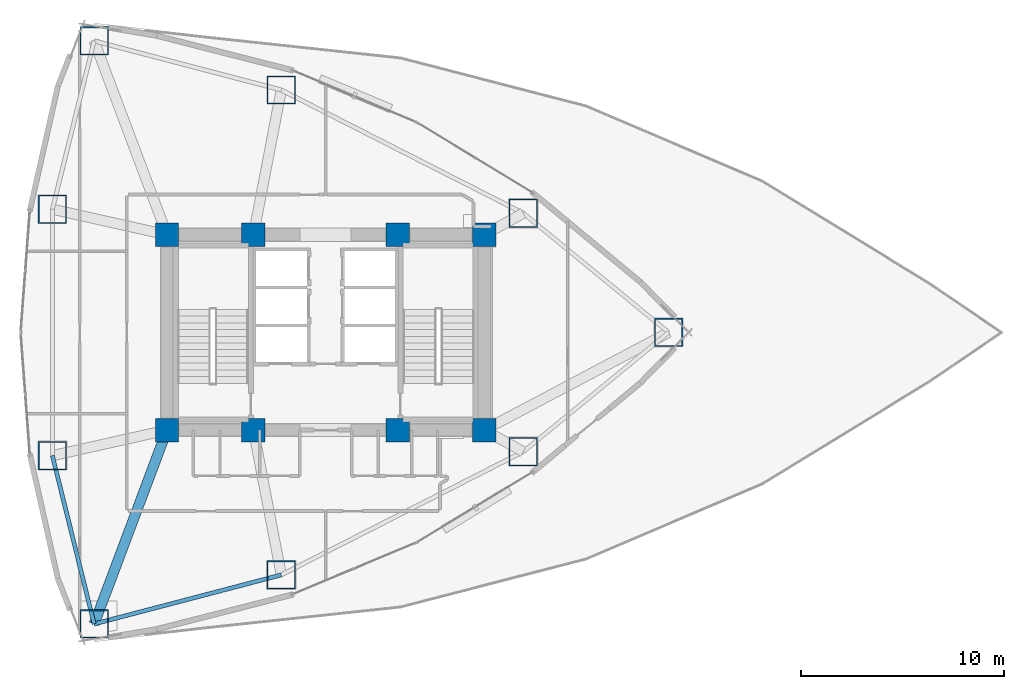
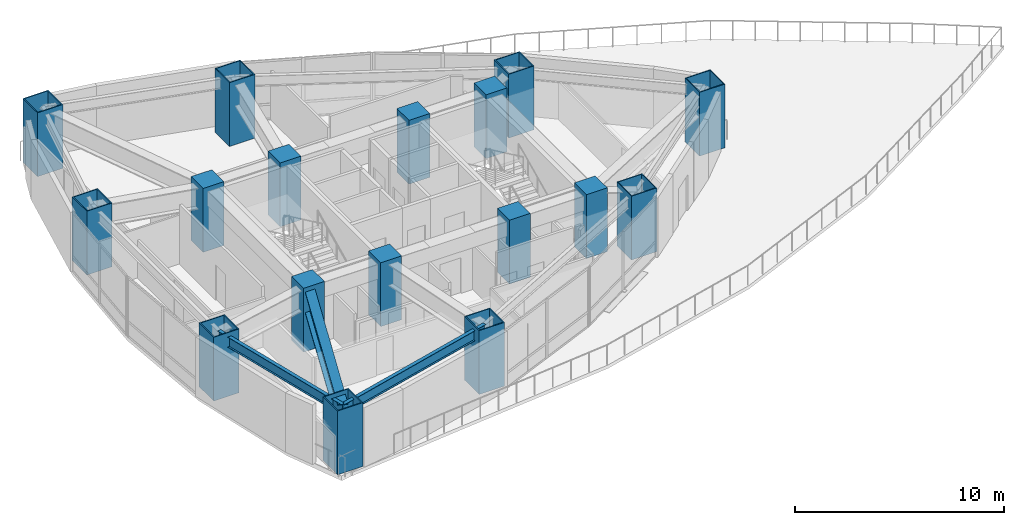
# One storey, part 1 of 19: 17 columns, 3 beams.
"""IFC4 building model written with IfcOpenShell, lengths in metres."""

import ifcopenshell
import ifcopenshell.guid

model = None  # the IFC model being written
_history = None  # IfcOwnerHistory: only IFC2X3 demands one
_inside = {}  # id of a spatial element -> (the spatial element, [elements in it])
_under = {}  # id of a project, library or spatial element -> (it, [spatial elements below it])
_declared = {}  # id of a project -> (the project, [libraries it declares])
_typed = {}  # id of a type object -> (the type object, [elements of that type])
_made_of = {}  # id of a material, layer set ... -> (it, [elements and type objects made of it])


def new_model(schema):
    """Start an empty IFC model of exactly this schema.

    Asked for "IFC4X3", IfcOpenShell would pick the latest addendum, in which some entities
    have other attributes; the version numbers below select the first issue.
    IFC2X3 requires an IfcOwnerHistory on every rooted entity: one is made here for all.
    """
    global model, _history
    if schema == "IFC4X3":
        model = ifcopenshell.file(schema_version=(4, 3, 0, 0))
    else:
        model = ifcopenshell.file(schema=schema)
    _inside.clear()
    _under.clear()
    _declared.clear()
    _typed.clear()
    _made_of.clear()
    _history = None
    if model.schema == "IFC2X3":
        org = make("IfcOrganization", Name="unknown")
        user = make(
            "IfcPersonAndOrganization",
            ThePerson=make("IfcPerson", FamilyName="unknown"),
            TheOrganization=org,
        )
        app = make(
            "IfcApplication",
            ApplicationDeveloper=org,
            Version="unknown",
            ApplicationFullName="unknown",
            ApplicationIdentifier="unknown",
        )
        _history = make(
            "IfcOwnerHistory",
            OwningUser=user,
            OwningApplication=app,
            ChangeAction="ADDED",
            CreationDate=0,
        )
    return model


def make(cls, **values):
    """One entity of the class cls with the attributes given. An attribute that is None is left unset."""
    return model.create_entity(
        cls, **{name: value for name, value in values.items() if value is not None}
    )


def rooted(cls, **values):
    """An entity with a GlobalId (a new one), such as an element, a storey or a relation."""
    return make(cls, GlobalId=ifcopenshell.guid.new(), OwnerHistory=_history, **values)


def si_unit(unit_type, name, prefix=None):
    """IfcSIUnit, for example si_unit("LENGTHUNIT", "METRE", prefix="MILLI")."""
    return make("IfcSIUnit", UnitType=unit_type, Prefix=prefix, Name=name)


def assignment(units):
    """IfcUnitAssignment: the units of a project."""
    return None if units is None else make("IfcUnitAssignment", Units=units)


def point(xyz):
    """IfcCartesianPoint."""
    return None if xyz is None else make("IfcCartesianPoint", Coordinates=xyz)


def direction(xyz):
    """IfcDirection."""
    return None if xyz is None else make("IfcDirection", DirectionRatios=xyz)


def frame(location, z_axis=None, x_axis=None):
    """IfcAxis2Placement3D, a coordinate frame: its origin and axes. An axis left out is left unset."""
    return make(
        "IfcAxis2Placement3D",
        Location=point(location),
        Axis=direction(z_axis),
        RefDirection=direction(x_axis),
    )


def frame_2d(location, x_axis=None):
    """IfcAxis2Placement2D, a coordinate frame in the plane: its origin and x axis."""
    return make(
        "IfcAxis2Placement2D", Location=point(location), RefDirection=direction(x_axis)
    )


def origin():
    """The frame at (0, 0, 0) with its axes left unset."""
    return frame((0.0, 0.0, 0.0))


def origin_2d():
    """The frame at (0, 0) in the plane with its x axis left unset."""
    return frame_2d((0.0, 0.0))


def place(relative_to, where):
    """IfcLocalPlacement: puts the frame where relative to a parent placement (None: the world)."""
    return make(
        "IfcLocalPlacement", PlacementRelTo=relative_to, RelativePlacement=where
    )


def context(
    kind, dimensions, precision=None, world=None, true_north=None, identifier=None
):
    """IfcGeometricRepresentationContext, for example the 3D "Model" context."""
    return make(
        "IfcGeometricRepresentationContext",
        ContextIdentifier=identifier,
        ContextType=kind,
        CoordinateSpaceDimension=dimensions,
        Precision=precision,
        WorldCoordinateSystem=world,
        TrueNorth=true_north,
    )


def subcontext(parent, identifier, kind, view, scale=None):
    """IfcGeometricRepresentationSubContext, for example "Body" below "Model"."""
    return make(
        "IfcGeometricRepresentationSubContext",
        ContextIdentifier=identifier,
        ContextType=kind,
        ParentContext=parent,
        TargetScale=scale,
        TargetView=view,
    )


def project(units=None, contexts=None):
    """IfcProject with its units and contexts."""
    return rooted(
        "IfcProject",
        Name="project",
        RepresentationContexts=contexts,
        UnitsInContext=assignment(units),
    )


def spatial(cls, under=None, at=None, **own):
    """A site, building, storey or space (cls), placed at a placement, below another one or the project."""
    s = rooted(cls, ObjectPlacement=at, **own)
    if under is not None:
        _under.setdefault(under.id(), (under, []))[1].append(s)
    return s


def profile(cls, at=None, kind="AREA", **sizes):
    """A parametric profile (cls). Its sizes go by their IFC names, for example OverallWidth=200.0."""
    return make(cls, ProfileType=kind, Position=at, **sizes)


def rectangle(**sizes):
    """IfcRectangleProfileDef."""
    return profile("IfcRectangleProfileDef", **sizes)


def hollow_rectangle(**sizes):
    """IfcRectangleHollowProfileDef."""
    return profile("IfcRectangleHollowProfileDef", **sizes)


def i_section(**sizes):
    """IfcIShapeProfileDef."""
    return profile("IfcIShapeProfileDef", **sizes)


def extrude(swept, where, along, depth):
    """IfcExtrudedAreaSolid: the profile swept, set in the frame where, extruded along a direction by depth."""
    return make(
        "IfcExtrudedAreaSolid",
        SweptArea=swept,
        Position=where,
        ExtrudedDirection=direction(along),
        Depth=depth,
    )


def shape(context_of_items, identifier, shape_type, items):
    """IfcShapeRepresentation: the items that make up one representation, for example the "Body"."""
    return make(
        "IfcShapeRepresentation",
        ContextOfItems=context_of_items,
        RepresentationIdentifier=identifier,
        RepresentationType=shape_type,
        Items=items,
    )


def material(Name=None, Category=None):
    """IfcMaterial."""
    return make("IfcMaterial", Name=Name, Category=Category)


def material_profile(
    of_material, cross_section, Name=None, Category=None, Priority=None
):
    """IfcMaterialProfile: a cross section and its material."""
    return make(
        "IfcMaterialProfile",
        Name=Name,
        Material=of_material,
        Profile=cross_section,
        Priority=Priority,
        Category=Category,
    )


def profile_set(profiles, Name=None, composite=None):
    """IfcMaterialProfileSet."""
    return make(
        "IfcMaterialProfileSet",
        Name=Name,
        MaterialProfiles=profiles,
        CompositeProfile=composite,
    )


def made_of(thing, what):
    """Note that an element or type object is made of a material, layer set ...; save() writes the relation."""
    if what is not None:
        _made_of.setdefault(what.id(), (what, []))[1].append(thing)
    return thing


def type_object(cls, material=None, **own):
    """A type object (cls), such as IfcWallType, which elements share."""
    return made_of(rooted(cls, **own), material)


def element(
    cls,
    number,
    at=None,
    inside=None,
    cuts=None,
    type_object=None,
    material=None,
    context=None,
    identifier="Body",
    shape_type=None,
    held_by="IfcProductDefinitionShape",
    body=None,
    shapes=None,
    **own,
):
    """One element of the class cls, such as IfcWall. Its Tag is "e" and its number.

    at: its placement. inside: the storey or other place that contains it. cuts: it is an
    opening in that element (IfcRelVoidsElement). A single representation is given by context,
    identifier, shape_type and body (its items); several are given by shapes. held_by: the class
    of the entity that holds the representations. save() writes the other relations.
    """
    e = rooted(cls, Tag="e%d" % number, ObjectPlacement=at, **own)
    if body is not None:
        shapes = [shape(context, identifier, shape_type, body)]
    if shapes is not None:
        e.Representation = make(held_by, Representations=shapes)
    if inside is not None:
        _inside.setdefault(inside.id(), (inside, []))[1].append(e)
    if cuts is not None:
        rooted(
            "IfcRelVoidsElement", RelatingBuildingElement=cuts, RelatedOpeningElement=e
        )
    if type_object is not None:
        _typed.setdefault(type_object.id(), (type_object, []))[1].append(e)
    return made_of(e, material)


def aggregate(whole, parts):
    """IfcRelAggregates: a whole, such as a stair, and the parts it consists of."""
    return rooted("IfcRelAggregates", RelatingObject=whole, RelatedObjects=parts)


def save(model, path):
    """Write the relations noted so far, then the file.

    IfcRelAggregates (storeys below a building ...), IfcRelContainedInSpatialStructure (elements
    in a storey), IfcRelDefinesByType, IfcRelAssociatesMaterial and IfcRelDeclares: one each for
    every whole, place, type object, material and project.
    """
    for whole, parts in _under.values():
        aggregate(whole, parts)
    for where, things in _inside.values():
        rooted(
            "IfcRelContainedInSpatialStructure",
            RelatedElements=things,
            RelatingStructure=where,
        )
    for kind, things in _typed.values():
        rooted("IfcRelDefinesByType", RelatedObjects=things, RelatingType=kind)
    for what, things in _made_of.values():
        rooted("IfcRelAssociatesMaterial", RelatedObjects=things, RelatingMaterial=what)
    for by, libraries in _declared.values():
        rooted("IfcRelDeclares", RelatingContext=by, RelatedDefinitions=libraries)
    model.write(path)


model = new_model("IFC4")

# Units and contexts
model_context = context("Model", 3, precision=1e-05, world=origin(), true_north=direction((0.0, 1.0)))
body_context = subcontext(model_context, "Body", "Model", "MODEL_VIEW")
ifc_project = project(units=[si_unit("LENGTHUNIT", "METRE"), si_unit("AREAUNIT", "SQUARE_METRE"), si_unit("VOLUMEUNIT", "CUBIC_METRE"), si_unit("PLANEANGLEUNIT", "RADIAN"), si_unit("MASSUNIT", "GRAM", prefix="KILO")], contexts=[model_context])

# Site, building, storey
site_placement = place(None, origin())
site = spatial("IfcSite", under=ifc_project, at=site_placement, CompositionType="ELEMENT")
building_placement = place(site_placement, origin())
building = spatial("IfcBuilding", under=site, at=building_placement, Name="Menara Vayukalpa", CompositionType="ELEMENT")
storey_placement = place(building_placement, frame((0.0, 0.0, 68.52001953125)))
storey = spatial("IfcBuildingStorey", under=building, at=storey_placement, Name="L16", CompositionType="ELEMENT", Elevation=68.52001953125)

# Columns
ifc_material_1 = material(Name="Concrete C80/95", Category="concrete")
ifc_material_profile_1 = material_profile(ifc_material_1, rectangle(XDim=1.14990234375, YDim=1.14990234375, at=origin_2d()), Name="RC 1150x1150")
ifc_profile_set_1 = profile_set([ifc_material_profile_1], Name="Concrete C80/95")
column_type_1 = type_object("IfcColumnType", Name="COL-CC1", PredefinedType="COLUMN", material=ifc_profile_set_1)
for number, where, z_axis, x_axis, name in (
    (1, (17.800048828125, 17.199951171875, 0.0), (0.0, 0.0, 1.0), (1.0, 0.0, 0.0), "L16 Core Pilaster Column CC1"),
    (2, (22.050048828125, 17.199951171875, 0.0), (0.0, 0.0, 1.0), (1.0, 0.0, 0.0), "L16 Core Pilaster Column CC2"),
    (3, (29.14990234375, 17.199951171875, 0.0), (0.0, 0.0, 1.0), (1.0, 0.0, 0.0), "L16 Core Pilaster Column CC3"),
    (4, (33.39990234375, 17.199951171875, 0.0), (0.0, 0.0, 1.0), (1.0, 0.0, 0.0), "L16 Core Pilaster Column CC4"),
    (5, (17.800048828125, 26.800048828125, 0.0), (0.0, 0.0, 1.0), (1.0, 0.0, 0.0), "L16 Core Pilaster Column CC5"),
    (6, (22.050048828125, 26.800048828125, 0.0), (0.0, 0.0, 1.0), (1.0, 0.0, 0.0), "L16 Core Pilaster Column CC6"),
    (7, (29.14990234375, 26.800048828125, 0.0), (0.0, 0.0, 1.0), (1.0, 0.0, 0.0), "L16 Core Pilaster Column CC7"),
    (8, (33.39990234375, 26.800048828125, 0.0), (0.0, 0.0, 1.0), (1.0, 0.0, 0.0), "L16 Core Pilaster Column CC8"),
):
    element("IfcColumn", number, at=place(storey_placement, frame(where, z_axis=z_axis, x_axis=x_axis)), inside=storey, type_object=column_type_1, Name=name, PredefinedType="COLUMN", context=body_context, shape_type="SweptSolid", body=[
        extrude(rectangle(XDim=1.14990234375, YDim=1.14990234375, at=origin_2d()), origin(), (0.0, 0.0, 1.0), 3.719970703125),
    ])
ifc_material_2 = material(Name="Steel S460", Category="steel")
ifc_material_profile_2 = material_profile(ifc_material_2, hollow_rectangle(XDim=1.39990234375, YDim=1.39990234375, WallThickness=0.054931640625, at=origin_2d()), Name="BOX 1400x1400x55")
ifc_profile_set_2 = profile_set([ifc_material_profile_2], Name="Steel S460")
column_type_2 = type_object("IfcColumnType", Name="COL-MC1", PredefinedType="COLUMN", material=ifc_profile_set_2)
for number, where, z_axis, x_axis, name in (
    (9, (42.46484375, 22.0, 0.0), (0.0, 0.0, 1.0), (1.0, 0.0, 0.0), "L16 Perimeter Mega Column P01"),
    (10, (35.318115234375, 27.86328125, 0.0), (0.0, 0.0, 1.0), (1.0, 0.0, 0.0), "L16 Perimeter Mega Column P02"),
    (11, (23.41943359375, 33.9228515625, 0.0), (0.0, 0.0, 1.0), (1.0, 0.0, 0.0), "L16 Perimeter Mega Column P03"),
    (12, (14.217529296875, 36.33447265625, 0.0), (0.0, 0.0, 1.0), (1.0, 0.0, 0.0), "L16 Perimeter Mega Column P04"),
    (13, (12.164306640625, 28.0595703125, 0.0), (0.0, 0.0, 1.0), (1.0, 0.0, 0.0), "L16 Perimeter Mega Column P05"),
    (14, (12.164306640625, 15.9404296875, 0.0), (0.0, 0.0, 1.0), (1.0, 0.0, 0.0), "L16 Perimeter Mega Column P06"),
    (15, (14.217529296875, 7.66552734375, 0.0), (0.0, 0.0, 1.0), (1.0, 0.0, 0.0), "L16 Perimeter Mega Column P07"),
    (16, (23.41943359375, 10.0771484375, 0.0), (0.0, 0.0, 1.0), (1.0, 0.0, 0.0), "L16 Perimeter Mega Column P08"),
    (17, (35.318115234375, 16.13671875, 0.0), (0.0, 0.0, 1.0), (1.0, 0.0, 0.0), "L16 Perimeter Mega Column P09"),
):
    element("IfcColumn", number, at=place(storey_placement, frame(where, z_axis=z_axis, x_axis=x_axis)), inside=storey, type_object=column_type_2, Name=name, PredefinedType="COLUMN", context=body_context, shape_type="SweptSolid", body=[
        extrude(hollow_rectangle(XDim=1.39990234375, YDim=1.39990234375, WallThickness=0.054931640625, at=origin_2d()), origin(), (0.0, 0.0, 1.0), 3.719970703125),
    ])

# Beams
ifc_material_3 = material(Name="Steel S355", Category="steel")
ifc_material_profile_3 = material_profile(ifc_material_3, i_section(OverallWidth=0.199951171875, OverallDepth=0.60009765625, WebThickness=0.010986328125, FlangeThickness=0.01708984375, at=origin_2d()), Name="WF 600x200x11x17")
ifc_profile_set_3 = profile_set([ifc_material_profile_3], Name="Steel S355")
beam_type_1 = type_object("IfcBeamType", Name="BM-SP1", PredefinedType="SPANDREL", material=ifc_profile_set_3)
beam_1_placement = place(storey_placement, frame((12.164306640625, 15.9404296875, 3.169921875), z_axis=(0.240823860364, -0.970568837476, 0.0), x_axis=(0.970568837476, 0.240823860364, 0.0)))
element("IfcBeam", 18, at=beam_1_placement, inside=storey, type_object=beam_type_1, Name="L16 Perimeter Spandrel Beam SP06", PredefinedType="SPANDREL", context=body_context, shape_type="SweptSolid", body=[
    extrude(i_section(OverallWidth=0.199951171875, OverallDepth=0.60009765625, WebThickness=0.010986328125, FlangeThickness=0.01708984375, at=origin_2d()), origin(), (0.0, 0.0, 1.0), 8.52587890625),
])
beam_2_placement = place(storey_placement, frame((14.217529296875, 7.66552734375, 3.169921875), z_axis=(0.967331024421, 0.253516644802, 0.0), x_axis=(-0.253516644802, 0.967331024421, 0.0)))
element("IfcBeam", 19, at=beam_2_placement, inside=storey, type_object=beam_type_1, Name="L16 Perimeter Spandrel Beam SP07", PredefinedType="SPANDREL", context=body_context, shape_type="SweptSolid", body=[
    extrude(i_section(OverallWidth=0.199951171875, OverallDepth=0.60009765625, WebThickness=0.010986328125, FlangeThickness=0.01708984375, at=origin_2d()), origin(), (0.0, 0.0, 1.0), 9.5126953125),
])
ifc_material_4 = material(Name="Steel S460", Category="steel")
ifc_material_profile_4 = material_profile(ifc_material_4, i_section(OverallWidth=0.5, OverallDepth=1.25, WebThickness=0.028076171875, FlangeThickness=0.054931640625, at=origin_2d()), Name="WG 1250x500x28x55")
ifc_profile_set_4 = profile_set([ifc_material_profile_4], Name="Steel S460")
beam_type_2 = type_object("IfcBeamType", Name="BM-TG2", PredefinedType="BEAM", material=ifc_profile_set_4)
beam_3_placement = place(storey_placement, frame((17.712158203125, 16.966064453125, 2.844970703125), z_axis=(-0.351734656537, -0.93609974436, 0.0), x_axis=(0.93609974436, -0.351734656537, 0.0)))
element("IfcBeam", 20, at=beam_3_placement, inside=storey, type_object=beam_type_2, Name="L16 Primary Radial Girder RG07", PredefinedType="BEAM", context=body_context, shape_type="SweptSolid", body=[
    extrude(i_section(OverallWidth=0.5, OverallDepth=1.25, WebThickness=0.028076171875, FlangeThickness=0.054931640625, at=origin_2d()), origin(), (0.0, 0.0, 1.0), 9.935302734375),
])

save(model, "model.ifc")
